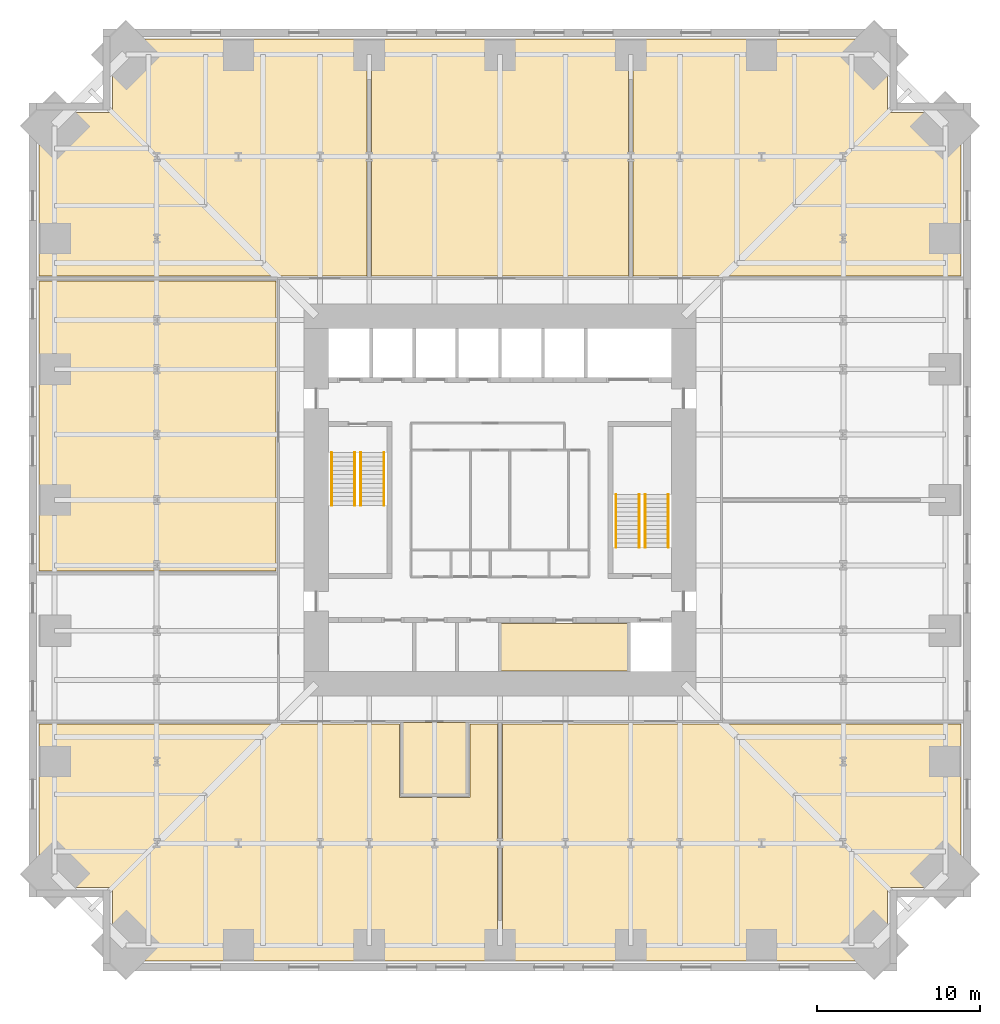
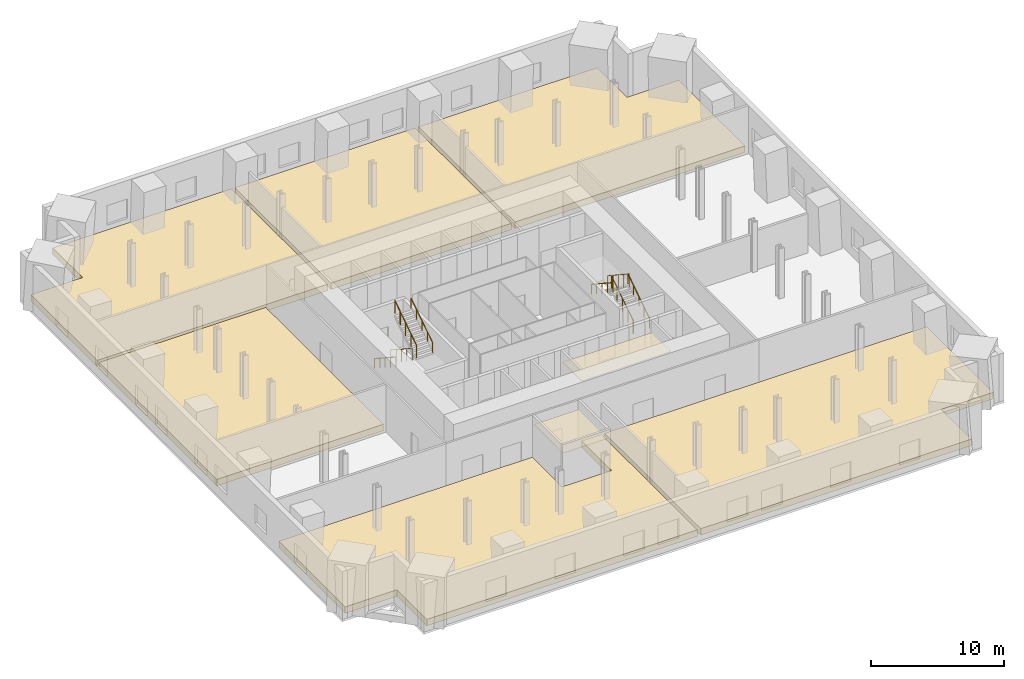
# One storey, part 8 of 8: 8 coverings, 8 railings.
"""IFC4 building model written with IfcOpenShell, lengths in metres."""

from ifc_helpers import new_model, si_unit, direction, frame, origin, origin_2d, place, context, subcontext, project, spatial, polyline, circle, outline, extrude, material, layer, layer_set, type_object, element, save


model = new_model("IFC4")

# Units and contexts
model_context = context("Model", 3, precision=1e-05, world=origin(), true_north=direction((0.0, 1.0)))
body_context = subcontext(model_context, "Body", "Model", "MODEL_VIEW")
ifc_project = project(units=[si_unit("LENGTHUNIT", "METRE"), si_unit("AREAUNIT", "SQUARE_METRE"), si_unit("VOLUMEUNIT", "CUBIC_METRE"), si_unit("PLANEANGLEUNIT", "RADIAN"), si_unit("MASSUNIT", "GRAM", prefix="KILO")], contexts=[model_context])

# Site, building, storey
site_placement = place(None, origin())
site = spatial("IfcSite", under=ifc_project, at=site_placement, CompositionType="ELEMENT")
building_placement = place(site_placement, origin())
building = spatial("IfcBuilding", under=site, at=building_placement, Name="Peilmerk Tower", CompositionType="ELEMENT")
storey_placement = place(building_placement, frame((0.0, 0.0, 90.60009765625)))
storey = spatial("IfcBuildingStorey", under=building, at=storey_placement, Name="L17", CompositionType="ELEMENT", Elevation=90.60009765625)

# Coverings
ifc_material_1 = material(Name="Mineral fibre ceiling tiles", Category="mineral")
ifc_layer_1 = layer(ifc_material_1, 0.02490234375)
ifc_layer_set_1 = layer_set([ifc_layer_1], Name="Mineral fibre ceiling tiles")
covering_type_1 = type_object("IfcCoveringType", Name="CL1 25 suspended ceiling", PredefinedType="CEILING", material=ifc_layer_set_1)
covering_1_placement = place(storey_placement, frame((0.0, 0.0, 3.474853515625)))
element("IfcCovering", 1, at=covering_1_placement, inside=storey, type_object=covering_type_1, Name="Suspended ceiling Operations office", PredefinedType="CEILING", context=body_context, shape_type="SweptSolid", body=[
    extrude(outline(polyline([(-2.050048828125, -18.0), (-2.050048828125, -13.60009765625), (-5.949951171875, -13.60009765625), (-5.949951171875, -18.0), (-2.050048828125, -18.0)])), origin(), (0.0, 0.0, 1.0), 0.025146484375),
])
covering_2_placement = place(storey_placement, frame((0.0, 0.0, 3.4248046875)))
element("IfcCovering", 2, at=covering_2_placement, inside=storey, type_object=covering_type_1, Name="Suspended ceiling Back-of-house office", PredefinedType="CEILING", context=body_context, shape_type="SweptSolid", body=[
    extrude(outline(polyline([(0.051025390625, -10.448974609375), (7.823974609375, -10.448974609375), (7.823974609375, -7.551025390625), (0.051025390625, -7.551025390625), (0.051025390625, -10.448974609375)])), origin(), (0.0, 0.0, 1.0), 0.025146484375),
])

# Railings
ifc_material_2 = material(Name="Steel flat bar balustrade", Category="steel")
railing_type_1 = type_object("IfcRailingType", Name="GR1 1200 stair guard", PredefinedType="GUARDRAIL", material=ifc_material_2)
railing_1_placement = place(storey_placement, frame((-8.8798828125, 2.89990234375, 0.1767578125)))
element("IfcRailing", 3, at=railing_1_placement, inside=storey, type_object=railing_type_1, Name="Guard stair 1 L17", PredefinedType="GUARDRAIL", context=body_context, shape_type="SweptSolid", body=[
    extrude(circle(Radius=0.02392578125, at=origin_2d()), frame((0.0, 0.0, 1.17578125), z_axis=(0.0, -0.836426258751, 0.548079477514), x_axis=(1.0, 0.0, 0.0)), (0.0, 0.0, 1.0), 3.87353515625),
    extrude(circle(Radius=0.02099609375, at=origin_2d()), origin(), (0.0, 0.0, 1.0), 1.15185546875),
    extrude(circle(Radius=0.02099609375, at=origin_2d()), frame((0.0, -0.81005859375, 0.53076171875)), (0.0, 0.0, 1.0), 1.15185546875),
    extrude(circle(Radius=0.02099609375, at=origin_2d()), frame((0.0, -1.6201171875, 1.0615234375)), (0.0, 0.0, 1.0), 1.15185546875),
    extrude(circle(Radius=0.02099609375, at=origin_2d()), frame((0.0, -2.429931640625, 1.59228515625)), (0.0, 0.0, 1.0), 1.15185546875),
    extrude(circle(Radius=0.02099609375, at=origin_2d()), frame((0.0, -3.239990234375, 2.123046875)), (0.0, 0.0, 1.0), 1.15185546875),
])
for number, where, name in (
    (4, (-8.52001953125, -0.340087890625, 2.476806640625), "Guard stair 1 L17"),
    (5, (8.8798828125, -2.89990234375, 0.1767578125), "Guard stair 2 L17"),
):
    element("IfcRailing", number, at=place(storey_placement, frame(where)), inside=storey, type_object=railing_type_1, Name=name, PredefinedType="GUARDRAIL", context=body_context, shape_type="SweptSolid", body=[
        extrude(circle(Radius=0.02392578125, at=origin_2d()), frame((0.0, 0.0, 1.17578125), z_axis=(0.0, 0.836426258751, 0.548079477514), x_axis=(-1.0, 0.0, 0.0)), (0.0, 0.0, 1.0), 3.87353515625),
        extrude(circle(Radius=0.02099609375, at=origin_2d()), origin(), (0.0, 0.0, 1.0), 1.15185546875),
        extrude(circle(Radius=0.02099609375, at=origin_2d()), frame((0.0, 0.81005859375, 0.53076171875)), (0.0, 0.0, 1.0), 1.15185546875),
        extrude(circle(Radius=0.02099609375, at=origin_2d()), frame((0.0, 1.6201171875, 1.0615234375)), (0.0, 0.0, 1.0), 1.15185546875),
        extrude(circle(Radius=0.02099609375, at=origin_2d()), frame((0.0, 2.429931640625, 1.59228515625)), (0.0, 0.0, 1.0), 1.15185546875),
        extrude(circle(Radius=0.02099609375, at=origin_2d()), frame((0.0, 3.239990234375, 2.123046875)), (0.0, 0.0, 1.0), 1.15185546875),
    ])
railing_2_placement = place(storey_placement, frame((8.52001953125, 0.340087890625, 2.476806640625)))
element("IfcRailing", 6, at=railing_2_placement, inside=storey, type_object=railing_type_1, Name="Guard stair 2 L17", PredefinedType="GUARDRAIL", context=body_context, shape_type="SweptSolid", body=[
    extrude(circle(Radius=0.02392578125, at=origin_2d()), frame((0.0, 0.0, 1.17578125), z_axis=(0.0, -0.836426258751, 0.548079477514), x_axis=(1.0, 0.0, 0.0)), (0.0, 0.0, 1.0), 3.87353515625),
    extrude(circle(Radius=0.02099609375, at=origin_2d()), origin(), (0.0, 0.0, 1.0), 1.15185546875),
    extrude(circle(Radius=0.02099609375, at=origin_2d()), frame((0.0, -0.81005859375, 0.53076171875)), (0.0, 0.0, 1.0), 1.15185546875),
    extrude(circle(Radius=0.02099609375, at=origin_2d()), frame((0.0, -1.6201171875, 1.0615234375)), (0.0, 0.0, 1.0), 1.15185546875),
    extrude(circle(Radius=0.02099609375, at=origin_2d()), frame((0.0, -2.429931640625, 1.59228515625)), (0.0, 0.0, 1.0), 1.15185546875),
    extrude(circle(Radius=0.02099609375, at=origin_2d()), frame((0.0, -3.239990234375, 2.123046875)), (0.0, 0.0, 1.0), 1.15185546875),
])
ifc_material_3 = material(Name="Stainless steel tube", Category="steel")
railing_type_2 = type_object("IfcRailingType", Name="HR1 900 stair handrail", PredefinedType="HANDRAIL", material=ifc_material_3)
railing_3_placement = place(storey_placement, frame((-10.300048828125, 2.89990234375, 0.1767578125)))
element("IfcRailing", 7, at=railing_3_placement, inside=storey, type_object=railing_type_2, Name="Handrail stair 1 L17", PredefinedType="HANDRAIL", context=body_context, shape_type="SweptSolid", body=[
    extrude(circle(Radius=0.02392578125, at=origin_2d()), frame((0.0, 0.0, 0.8759765625), z_axis=(0.0, -0.836426258751, 0.548079477514), x_axis=(1.0, 0.0, 0.0)), (0.0, 0.0, 1.0), 3.87353515625),
    extrude(circle(Radius=0.02099609375, at=origin_2d()), origin(), (0.0, 0.0, 1.0), 0.851806640625),
    extrude(circle(Radius=0.02099609375, at=origin_2d()), frame((0.0, -0.81005859375, 0.53076171875)), (0.0, 0.0, 1.0), 0.851806640625),
    extrude(circle(Radius=0.02099609375, at=origin_2d()), frame((0.0, -1.6201171875, 1.0615234375)), (0.0, 0.0, 1.0), 0.851806640625),
    extrude(circle(Radius=0.02099609375, at=origin_2d()), frame((0.0, -2.429931640625, 1.59228515625)), (0.0, 0.0, 1.0), 0.851806640625),
    extrude(circle(Radius=0.02099609375, at=origin_2d()), frame((0.0, -3.239990234375, 2.123046875)), (0.0, 0.0, 1.0), 0.851806640625),
])
for number, where, name in (
    (8, (-7.10009765625, -0.340087890625, 2.476806640625), "Handrail stair 1 L17"),
    (9, (10.300048828125, -2.89990234375, 0.1767578125), "Handrail stair 2 L17"),
):
    element("IfcRailing", number, at=place(storey_placement, frame(where)), inside=storey, type_object=railing_type_2, Name=name, PredefinedType="HANDRAIL", context=body_context, shape_type="SweptSolid", body=[
        extrude(circle(Radius=0.02392578125, at=origin_2d()), frame((0.0, 0.0, 0.8759765625), z_axis=(0.0, 0.836426258751, 0.548079477514), x_axis=(-1.0, 0.0, 0.0)), (0.0, 0.0, 1.0), 3.87353515625),
        extrude(circle(Radius=0.02099609375, at=origin_2d()), origin(), (0.0, 0.0, 1.0), 0.851806640625),
        extrude(circle(Radius=0.02099609375, at=origin_2d()), frame((0.0, 0.81005859375, 0.53076171875)), (0.0, 0.0, 1.0), 0.851806640625),
        extrude(circle(Radius=0.02099609375, at=origin_2d()), frame((0.0, 1.6201171875, 1.0615234375)), (0.0, 0.0, 1.0), 0.851806640625),
        extrude(circle(Radius=0.02099609375, at=origin_2d()), frame((0.0, 2.429931640625, 1.59228515625)), (0.0, 0.0, 1.0), 0.851806640625),
        extrude(circle(Radius=0.02099609375, at=origin_2d()), frame((0.0, 3.239990234375, 2.123046875)), (0.0, 0.0, 1.0), 0.851806640625),
    ])
railing_4_placement = place(storey_placement, frame((7.10009765625, 0.340087890625, 2.476806640625)))
element("IfcRailing", 10, at=railing_4_placement, inside=storey, type_object=railing_type_2, Name="Handrail stair 2 L17", PredefinedType="HANDRAIL", context=body_context, shape_type="SweptSolid", body=[
    extrude(circle(Radius=0.02392578125, at=origin_2d()), frame((0.0, 0.0, 0.8759765625), z_axis=(0.0, -0.836426258751, 0.548079477514), x_axis=(1.0, 0.0, 0.0)), (0.0, 0.0, 1.0), 3.87353515625),
    extrude(circle(Radius=0.02099609375, at=origin_2d()), origin(), (0.0, 0.0, 1.0), 0.851806640625),
    extrude(circle(Radius=0.02099609375, at=origin_2d()), frame((0.0, -0.81005859375, 0.53076171875)), (0.0, 0.0, 1.0), 0.851806640625),
    extrude(circle(Radius=0.02099609375, at=origin_2d()), frame((0.0, -1.6201171875, 1.0615234375)), (0.0, 0.0, 1.0), 0.851806640625),
    extrude(circle(Radius=0.02099609375, at=origin_2d()), frame((0.0, -2.429931640625, 1.59228515625)), (0.0, 0.0, 1.0), 0.851806640625),
    extrude(circle(Radius=0.02099609375, at=origin_2d()), frame((0.0, -3.239990234375, 2.123046875)), (0.0, 0.0, 1.0), 0.851806640625),
])

# Coverings
ifc_material_4 = material(Name="Steel raised access floor panels on pedestals", Category="steel")
ifc_layer_2 = layer(ifc_material_4, 0.60009765625)
ifc_layer_set_2 = layer_set([ifc_layer_2], Name="Steel raised access floor panels on pedestals")
covering_type_2 = type_object("IfcCoveringType", Name="RF1 600 raised access floor", PredefinedType="FLOORING", material=ifc_layer_set_2)
covering_3_placement = place(storey_placement, origin())
element("IfcCovering", 11, at=covering_3_placement, inside=storey, type_object=covering_type_2, Name="Raised access floor Telecom equipment room A", PredefinedType="FLOORING", context=body_context, shape_type="SweptSolid", body=[
    extrude(outline(polyline([(-28.199951171875, 23.699951171875), (-28.199951171875, 13.699951171875), (-8.14990234375, 13.699951171875), (-8.14990234375, 28.199951171875), (-23.699951171875, 28.199951171875), (-23.699951171875, 23.699951171875), (-28.199951171875, 23.699951171875)])), origin(), (0.0, 0.0, 1.0), 0.599853515625),
])
covering_4_placement = place(storey_placement, origin())
element("IfcCovering", 12, at=covering_4_placement, inside=storey, type_object=covering_type_2, Name="Raised access floor Meet-me room", PredefinedType="FLOORING", context=body_context, shape_type="SweptSolid", body=[
    extrude(outline(polyline([(7.85009765625, 28.199951171875), (-7.85009765625, 28.199951171875), (-7.85009765625, 13.699951171875), (7.85009765625, 13.699951171875), (7.85009765625, 28.199951171875)])), origin(), (0.0, 0.0, 1.0), 0.599853515625),
])
covering_5_placement = place(storey_placement, origin())
element("IfcCovering", 13, at=covering_5_placement, inside=storey, type_object=covering_type_2, Name="Raised access floor Telecom equipment room B", PredefinedType="FLOORING", context=body_context, shape_type="SweptSolid", body=[
    extrude(outline(polyline([(23.699951171875, 28.199951171875), (8.14990234375, 28.199951171875), (8.14990234375, 13.699951171875), (28.199951171875, 13.699951171875), (28.199951171875, 23.699951171875), (23.699951171875, 23.699951171875), (23.699951171875, 28.199951171875)])), origin(), (0.0, 0.0, 1.0), 0.599853515625),
])
covering_6_placement = place(storey_placement, origin())
element("IfcCovering", 14, at=covering_6_placement, inside=storey, type_object=covering_type_2, Name="Raised access floor Carrier room A", PredefinedType="FLOORING", context=body_context, shape_type="SweptSolid", body=[
    extrude(outline(polyline([(-23.699951171875, -23.699951171875), (-23.699951171875, -28.199951171875), (-0.14990234375, -28.199951171875), (-0.14990234375, -13.699951171875), (-1.85009765625, -13.699951171875), (-1.85009765625, -18.199951171875), (-6.14990234375, -18.199951171875), (-6.14990234375, -13.699951171875), (-28.199951171875, -13.699951171875), (-28.199951171875, -23.699951171875), (-23.699951171875, -23.699951171875)])), origin(), (0.0, 0.0, 1.0), 0.599853515625),
])
covering_7_placement = place(storey_placement, origin())
element("IfcCovering", 15, at=covering_7_placement, inside=storey, type_object=covering_type_2, Name="Raised access floor Carrier room B", PredefinedType="FLOORING", context=body_context, shape_type="SweptSolid", body=[
    extrude(outline(polyline([(0.14990234375, -28.199951171875), (23.699951171875, -28.199951171875), (23.699951171875, -23.699951171875), (28.199951171875, -23.699951171875), (28.199951171875, -13.699951171875), (0.14990234375, -13.699951171875), (0.14990234375, -28.199951171875)])), origin(), (0.0, 0.0, 1.0), 0.599853515625),
])
covering_8_placement = place(storey_placement, origin())
element("IfcCovering", 16, at=covering_8_placement, inside=storey, type_object=covering_type_2, Name="Raised access floor Fibre distribution room", PredefinedType="FLOORING", context=body_context, shape_type="SweptSolid", body=[
    extrude(outline(polyline([(-28.199951171875, 13.39990234375), (-28.199951171875, -4.35009765625), (-13.699951171875, -4.35009765625), (-13.699951171875, 13.39990234375), (-28.199951171875, 13.39990234375)])), origin(), (0.0, 0.0, 1.0), 0.599853515625),
])

save(model, "model.ifc")
